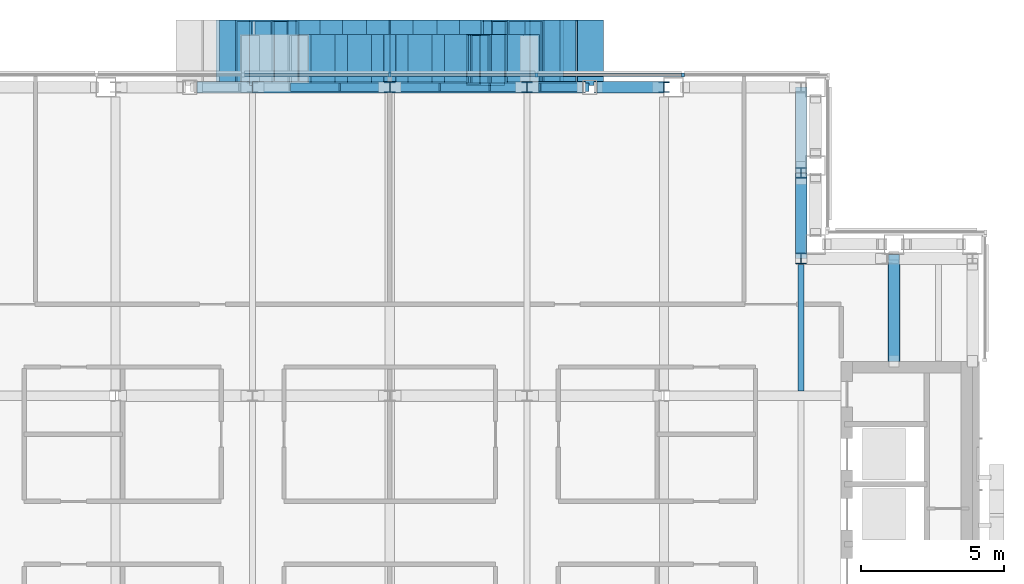
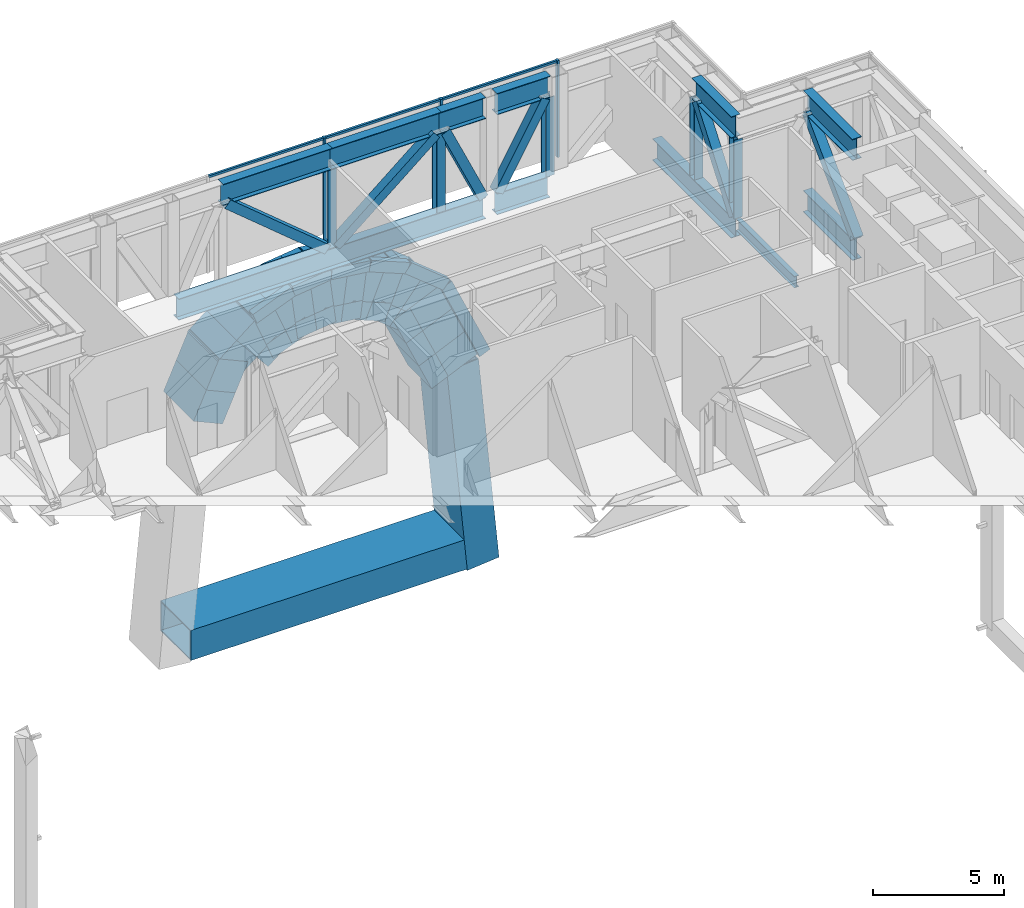
# One storey, part 8 of 26: 60 members, 7 beams, 1 element without a shape of its own.
"""IFC4 building model written with IfcOpenShell, lengths in metres."""

import ifcopenshell
import ifcopenshell.guid

model = None  # the IFC model being written
_history = None  # IfcOwnerHistory: only IFC2X3 demands one
_inside = {}  # id of a spatial element -> (the spatial element, [elements in it])
_under = {}  # id of a project, library or spatial element -> (it, [spatial elements below it])
_declared = {}  # id of a project -> (the project, [libraries it declares])
_typed = {}  # id of a type object -> (the type object, [elements of that type])
_made_of = {}  # id of a material, layer set ... -> (it, [elements and type objects made of it])


def new_model(schema):
    """Start an empty IFC model of exactly this schema.

    Asked for "IFC4X3", IfcOpenShell would pick the latest addendum, in which some entities
    have other attributes; the version numbers below select the first issue.
    IFC2X3 requires an IfcOwnerHistory on every rooted entity: one is made here for all.
    """
    global model, _history
    if schema == "IFC4X3":
        model = ifcopenshell.file(schema_version=(4, 3, 0, 0))
    else:
        model = ifcopenshell.file(schema=schema)
    _inside.clear()
    _under.clear()
    _declared.clear()
    _typed.clear()
    _made_of.clear()
    _history = None
    if model.schema == "IFC2X3":
        org = make("IfcOrganization", Name="unknown")
        user = make(
            "IfcPersonAndOrganization",
            ThePerson=make("IfcPerson", FamilyName="unknown"),
            TheOrganization=org,
        )
        app = make(
            "IfcApplication",
            ApplicationDeveloper=org,
            Version="unknown",
            ApplicationFullName="unknown",
            ApplicationIdentifier="unknown",
        )
        _history = make(
            "IfcOwnerHistory",
            OwningUser=user,
            OwningApplication=app,
            ChangeAction="ADDED",
            CreationDate=0,
        )
    return model


def make(cls, **values):
    """One entity of the class cls with the attributes given. An attribute that is None is left unset."""
    return model.create_entity(
        cls, **{name: value for name, value in values.items() if value is not None}
    )


def rooted(cls, **values):
    """An entity with a GlobalId (a new one), such as an element, a storey or a relation."""
    return make(cls, GlobalId=ifcopenshell.guid.new(), OwnerHistory=_history, **values)


def si_unit(unit_type, name, prefix=None):
    """IfcSIUnit, for example si_unit("LENGTHUNIT", "METRE", prefix="MILLI")."""
    return make("IfcSIUnit", UnitType=unit_type, Prefix=prefix, Name=name)


def assignment(units):
    """IfcUnitAssignment: the units of a project."""
    return None if units is None else make("IfcUnitAssignment", Units=units)


def point(xyz):
    """IfcCartesianPoint."""
    return None if xyz is None else make("IfcCartesianPoint", Coordinates=xyz)


def direction(xyz):
    """IfcDirection."""
    return None if xyz is None else make("IfcDirection", DirectionRatios=xyz)


def frame(location, z_axis=None, x_axis=None):
    """IfcAxis2Placement3D, a coordinate frame: its origin and axes. An axis left out is left unset."""
    return make(
        "IfcAxis2Placement3D",
        Location=point(location),
        Axis=direction(z_axis),
        RefDirection=direction(x_axis),
    )


def frame_2d(location, x_axis=None):
    """IfcAxis2Placement2D, a coordinate frame in the plane: its origin and x axis."""
    return make(
        "IfcAxis2Placement2D", Location=point(location), RefDirection=direction(x_axis)
    )


def origin():
    """The frame at (0, 0, 0) with its axes left unset."""
    return frame((0.0, 0.0, 0.0))


def origin_2d():
    """The frame at (0, 0) in the plane with its x axis left unset."""
    return frame_2d((0.0, 0.0))


def place(relative_to, where):
    """IfcLocalPlacement: puts the frame where relative to a parent placement (None: the world)."""
    return make(
        "IfcLocalPlacement", PlacementRelTo=relative_to, RelativePlacement=where
    )


def context(
    kind, dimensions, precision=None, world=None, true_north=None, identifier=None
):
    """IfcGeometricRepresentationContext, for example the 3D "Model" context."""
    return make(
        "IfcGeometricRepresentationContext",
        ContextIdentifier=identifier,
        ContextType=kind,
        CoordinateSpaceDimension=dimensions,
        Precision=precision,
        WorldCoordinateSystem=world,
        TrueNorth=true_north,
    )


def subcontext(parent, identifier, kind, view, scale=None):
    """IfcGeometricRepresentationSubContext, for example "Body" below "Model"."""
    return make(
        "IfcGeometricRepresentationSubContext",
        ContextIdentifier=identifier,
        ContextType=kind,
        ParentContext=parent,
        TargetScale=scale,
        TargetView=view,
    )


def project(units=None, contexts=None):
    """IfcProject with its units and contexts."""
    return rooted(
        "IfcProject",
        Name="project",
        RepresentationContexts=contexts,
        UnitsInContext=assignment(units),
    )


def spatial(cls, under=None, at=None, **own):
    """A site, building, storey or space (cls), placed at a placement, below another one or the project."""
    s = rooted(cls, ObjectPlacement=at, **own)
    if under is not None:
        _under.setdefault(under.id(), (under, []))[1].append(s)
    return s


def profile(cls, at=None, kind="AREA", **sizes):
    """A parametric profile (cls). Its sizes go by their IFC names, for example OverallWidth=200.0."""
    return make(cls, ProfileType=kind, Position=at, **sizes)


def rectangle(**sizes):
    """IfcRectangleProfileDef."""
    return profile("IfcRectangleProfileDef", **sizes)


def hollow_rectangle(**sizes):
    """IfcRectangleHollowProfileDef."""
    return profile("IfcRectangleHollowProfileDef", **sizes)


def i_section(**sizes):
    """IfcIShapeProfileDef."""
    return profile("IfcIShapeProfileDef", **sizes)


def extrude(swept, where, along, depth):
    """IfcExtrudedAreaSolid: the profile swept, set in the frame where, extruded along a direction by depth."""
    return make(
        "IfcExtrudedAreaSolid",
        SweptArea=swept,
        Position=where,
        ExtrudedDirection=direction(along),
        Depth=depth,
    )


def shape(context_of_items, identifier, shape_type, items):
    """IfcShapeRepresentation: the items that make up one representation, for example the "Body"."""
    return make(
        "IfcShapeRepresentation",
        ContextOfItems=context_of_items,
        RepresentationIdentifier=identifier,
        RepresentationType=shape_type,
        Items=items,
    )


def material(Name=None, Category=None):
    """IfcMaterial."""
    return make("IfcMaterial", Name=Name, Category=Category)


def material_profile(
    of_material, cross_section, Name=None, Category=None, Priority=None
):
    """IfcMaterialProfile: a cross section and its material."""
    return make(
        "IfcMaterialProfile",
        Name=Name,
        Material=of_material,
        Profile=cross_section,
        Priority=Priority,
        Category=Category,
    )


def profile_set(profiles, Name=None, composite=None):
    """IfcMaterialProfileSet."""
    return make(
        "IfcMaterialProfileSet",
        Name=Name,
        MaterialProfiles=profiles,
        CompositeProfile=composite,
    )


def made_of(thing, what):
    """Note that an element or type object is made of a material, layer set ...; save() writes the relation."""
    if what is not None:
        _made_of.setdefault(what.id(), (what, []))[1].append(thing)
    return thing


def type_object(cls, material=None, **own):
    """A type object (cls), such as IfcWallType, which elements share."""
    return made_of(rooted(cls, **own), material)


def element(
    cls,
    number,
    at=None,
    inside=None,
    cuts=None,
    type_object=None,
    material=None,
    context=None,
    identifier="Body",
    shape_type=None,
    held_by="IfcProductDefinitionShape",
    body=None,
    shapes=None,
    **own,
):
    """One element of the class cls, such as IfcWall. Its Tag is "e" and its number.

    at: its placement. inside: the storey or other place that contains it. cuts: it is an
    opening in that element (IfcRelVoidsElement). A single representation is given by context,
    identifier, shape_type and body (its items); several are given by shapes. held_by: the class
    of the entity that holds the representations. save() writes the other relations.
    """
    e = rooted(cls, Tag="e%d" % number, ObjectPlacement=at, **own)
    if body is not None:
        shapes = [shape(context, identifier, shape_type, body)]
    if shapes is not None:
        e.Representation = make(held_by, Representations=shapes)
    if inside is not None:
        _inside.setdefault(inside.id(), (inside, []))[1].append(e)
    if cuts is not None:
        rooted(
            "IfcRelVoidsElement", RelatingBuildingElement=cuts, RelatedOpeningElement=e
        )
    if type_object is not None:
        _typed.setdefault(type_object.id(), (type_object, []))[1].append(e)
    return made_of(e, material)


def aggregate(whole, parts):
    """IfcRelAggregates: a whole, such as a stair, and the parts it consists of."""
    return rooted("IfcRelAggregates", RelatingObject=whole, RelatedObjects=parts)


def save(model, path):
    """Write the relations noted so far, then the file.

    IfcRelAggregates (storeys below a building ...), IfcRelContainedInSpatialStructure (elements
    in a storey), IfcRelDefinesByType, IfcRelAssociatesMaterial and IfcRelDeclares: one each for
    every whole, place, type object, material and project.
    """
    for whole, parts in _under.values():
        aggregate(whole, parts)
    for where, things in _inside.values():
        rooted(
            "IfcRelContainedInSpatialStructure",
            RelatedElements=things,
            RelatingStructure=where,
        )
    for kind, things in _typed.values():
        rooted("IfcRelDefinesByType", RelatedObjects=things, RelatingType=kind)
    for what, things in _made_of.values():
        rooted("IfcRelAssociatesMaterial", RelatedObjects=things, RelatingMaterial=what)
    for by, libraries in _declared.values():
        rooted("IfcRelDeclares", RelatingContext=by, RelatedDefinitions=libraries)
    model.write(path)


model = new_model("IFC4")

# Units and contexts
model_context = context("Model", 3, precision=1e-05, world=origin(), true_north=direction((0.0, 1.0)))
body_context = subcontext(model_context, "Body", "Model", "MODEL_VIEW")
ifc_project = project(units=[si_unit("LENGTHUNIT", "METRE"), si_unit("AREAUNIT", "SQUARE_METRE"), si_unit("VOLUMEUNIT", "CUBIC_METRE"), si_unit("PLANEANGLEUNIT", "RADIAN"), si_unit("MASSUNIT", "GRAM", prefix="KILO")], contexts=[model_context])

# Site, building, storey
site_placement = place(None, origin())
site = spatial("IfcSite", under=ifc_project, at=site_placement, CompositionType="ELEMENT")
building_placement = place(site_placement, origin())
building = spatial("IfcBuilding", under=site, at=building_placement, Name="Cobrizo Arcos Hotel Tower", CompositionType="ELEMENT")
storey_placement = place(building_placement, frame((0.0, 0.0, 236.5)))
storey = spatial("IfcBuildingStorey", under=building, at=storey_placement, Name="L62", CompositionType="ELEMENT", Elevation=236.5)

# Beams
ifc_material_1 = material(Name="Steel ASTM A572 Grade 50", Category="steel")
ifc_material_profile_1 = material_profile(ifc_material_1, hollow_rectangle(XDim=0.300048828125, YDim=0.5, WallThickness=0.02001953125, at=origin_2d()), Name="BOX 300X500X20")
ifc_profile_set_1 = profile_set([ifc_material_profile_1], Name="Steel ASTM A572 Grade 50")
beam_type_1 = type_object("IfcBeamType", Name="BOX 300X500X20 arch rib", PredefinedType="BEAM", material=ifc_profile_set_1)
beam_1_placement = place(storey_placement, frame((-3.374267578125, 20.39990234375, -2.4375), z_axis=(0.926634507645, 0.0, 0.375963414764), x_axis=(0.0, 1.0, 0.0)))
element("IfcBeam", 1, at=beam_1_placement, inside=storey, type_object=beam_type_1, Name="Arch rib AR1, arch C, north face, no. 03", PredefinedType="BEAM", context=body_context, shape_type="SweptSolid", body=[
    extrude(hollow_rectangle(XDim=0.300048828125, YDim=0.5, WallThickness=0.02001953125, at=origin_2d()), origin(), (0.0, 0.0, 1.0), 1.82080078125),
])
for number, where, z_axis, x_axis, name in (
    (2, (-1.68701171875, 20.39990234375, -1.7529296875), (0.992131403305, 0.0, 0.125200952776), (0.0, 1.0, 0.0), "Arch rib AR1, arch C, north face, no. 04"),
    (3, (0.0, 20.39990234375, -1.5400390625), (0.992131403305, 0.0, -0.125200952776), (0.0, 1.0, 0.0), "Arch rib AR1, arch C, north face, no. 05"),
):
    element("IfcBeam", number, at=place(storey_placement, frame(where, z_axis=z_axis, x_axis=x_axis)), inside=storey, type_object=beam_type_1, Name=name, PredefinedType="BEAM", context=body_context, shape_type="SweptSolid", body=[
        extrude(hollow_rectangle(XDim=0.300048828125, YDim=0.5, WallThickness=0.02001953125, at=origin_2d()), origin(), (0.0, 0.0, 1.0), 1.700439453125),
    ])
beam_2_placement = place(storey_placement, frame((1.68701171875, 20.39990234375, -1.7529296875), z_axis=(0.926634507645, 0.0, -0.375963414764), x_axis=(0.0, 1.0, 0.0)))
element("IfcBeam", 4, at=beam_2_placement, inside=storey, type_object=beam_type_1, Name="Arch rib AR1, arch C, north face, no. 06", PredefinedType="BEAM", context=body_context, shape_type="SweptSolid", body=[
    extrude(hollow_rectangle(XDim=0.300048828125, YDim=0.5, WallThickness=0.02001953125, at=origin_2d()), origin(), (0.0, 0.0, 1.0), 1.82080078125),
])
beam_3_placement = place(storey_placement, frame((3.374267578125, 20.39990234375, -2.4375), z_axis=(0.777399424026, 0.0, -0.6290072619), x_axis=(0.0, 1.0, 0.0)))
element("IfcBeam", 5, at=beam_3_placement, inside=storey, type_object=beam_type_1, Name="Arch rib AR1, arch C, north face, no. 07", PredefinedType="BEAM", context=body_context, shape_type="SweptSolid", body=[
    extrude(hollow_rectangle(XDim=0.300048828125, YDim=0.5, WallThickness=0.02001953125, at=origin_2d()), origin(), (0.0, 0.0, 1.0), 2.170166015625),
])
beam_4_placement = place(storey_placement, frame((5.061279296875, 20.39990234375, -3.802490234375), z_axis=(0.409445476845, 0.0, -0.912334588565), x_axis=(0.0, 1.0, 0.0)))
element("IfcBeam", 6, at=beam_4_placement, inside=storey, type_object=beam_type_1, Name="Arch rib AR1, arch C, north face, no. 08", PredefinedType="BEAM", context=body_context, shape_type="SweptSolid", body=[
    extrude(hollow_rectangle(XDim=0.300048828125, YDim=0.5, WallThickness=0.02001953125, at=origin_2d()), origin(), (0.0, 0.0, 1.0), 4.1201171875),
])

# Curtain wall, members
ifc_material_2 = material(Name="Aluminium 6063-T6 anodised bronze", Category="aluminium")
curtain_wall_type = type_object("IfcCurtainWallType", Name="CW-D plant louvre wall", PredefinedType="NOTDEFINED", material=ifc_material_2)
curtain_wall_placement = place(storey_placement, origin())
curtain_wall = element("IfcCurtainWall", 7, at=curtain_wall_placement, inside=storey, type_object=curtain_wall_type, Name="CW-D L62 N face", PredefinedType="NOTDEFINED")
ifc_material_profile_2 = material_profile(ifc_material_2, rectangle(XDim=0.14990234375, YDim=0.10009765625, at=origin_2d()), Name="CW-D mullion 150x100")
ifc_profile_set_2 = profile_set([ifc_material_profile_2], Name="Aluminium 6063-T6 anodised bronze")
member_type_1 = type_object("IfcMemberType", Name="CW-D mullion 150x100", PredefinedType="MULLION", material=ifc_profile_set_2)
member_1_placement = place(storey_placement, frame((10.2666015625, 20.824951171875, 0.0), z_axis=(0.0, 0.0, 1.0), x_axis=(0.0, 1.0, 0.0)))
member_1 = element("IfcMember", 8, at=member_1_placement, type_object=member_type_1, Name="CW-D mullion 2", PredefinedType="MULLION", context=body_context, shape_type="SweptSolid", body=[
    extrude(rectangle(XDim=0.14990234375, YDim=0.10009765625, at=origin_2d()), origin(), (0.0, 0.0, 1.0), 4.5),
])
member_2_placement = place(storey_placement, frame((5.13330078125, 20.824951171875, 0.0), z_axis=(0.0, 0.0, 1.0), x_axis=(0.0, 1.0, 0.0)))
member_2 = element("IfcMember", 9, at=member_2_placement, type_object=member_type_1, Name="CW-D mullion 3", PredefinedType="MULLION", context=body_context, shape_type="SweptSolid", body=[
    extrude(rectangle(XDim=0.14990234375, YDim=0.10009765625, at=origin_2d()), origin(), (0.0, 0.0, 1.0), 4.5),
])
member_3_placement = place(storey_placement, frame((0.0, 20.824951171875, 0.0), z_axis=(0.0, 0.0, 1.0), x_axis=(0.0, 1.0, 0.0)))
member_3 = element("IfcMember", 10, at=member_3_placement, type_object=member_type_1, Name="CW-D mullion 4", PredefinedType="MULLION", context=body_context, shape_type="SweptSolid", body=[
    extrude(rectangle(XDim=0.14990234375, YDim=0.10009765625, at=origin_2d()), origin(), (0.0, 0.0, 1.0), 4.5),
])
ifc_material_profile_3 = material_profile(ifc_material_2, rectangle(XDim=0.10009765625, YDim=0.10009765625, at=origin_2d()), Name="CW-D transom 100x100")
ifc_profile_set_3 = profile_set([ifc_material_profile_3], Name="Aluminium 6063-T6 anodised bronze")
member_type_2 = type_object("IfcMemberType", Name="CW-D transom 100x100", PredefinedType="USERDEFINED", material=ifc_profile_set_3)
member_4_placement = place(storey_placement, frame((10.216552734375, 20.824951171875, 4.449951171875), z_axis=(-1.0, 0.0, 0.0), x_axis=(0.0, -1.0, 0.0)))
member_4 = element("IfcMember", 11, at=member_4_placement, type_object=member_type_2, Name="CW-D transom 2001", ObjectType="TRANSOM", PredefinedType="USERDEFINED", context=body_context, shape_type="SweptSolid", body=[
    extrude(rectangle(XDim=0.10009765625, YDim=0.10009765625, at=origin_2d()), origin(), (0.0, 0.0, 1.0), 5.033203125),
])
member_5_placement = place(storey_placement, frame((5.083251953125, 20.824951171875, 4.449951171875), z_axis=(-1.0, 0.0, 0.0), x_axis=(0.0, -1.0, 0.0)))
member_5 = element("IfcMember", 12, at=member_5_placement, type_object=member_type_2, Name="CW-D transom 2002", ObjectType="TRANSOM", PredefinedType="USERDEFINED", context=body_context, shape_type="SweptSolid", body=[
    extrude(rectangle(XDim=0.10009765625, YDim=0.10009765625, at=origin_2d()), origin(), (0.0, 0.0, 1.0), 5.033203125),
])
member_6_placement = place(storey_placement, frame((-0.050048828125, 20.824951171875, 4.449951171875), z_axis=(-1.0, 0.0, 0.0), x_axis=(0.0, -1.0, 0.0)))
member_6 = element("IfcMember", 13, at=member_6_placement, type_object=member_type_2, Name="CW-D transom 2003", ObjectType="TRANSOM", PredefinedType="USERDEFINED", context=body_context, shape_type="SweptSolid", body=[
    extrude(rectangle(XDim=0.10009765625, YDim=0.10009765625, at=origin_2d()), origin(), (0.0, 0.0, 1.0), 5.033203125),
])
aggregate(curtain_wall, [member_1, member_2, member_3, member_4, member_5, member_6])

# Members
ifc_material_3 = material(Name="Steel ASTM A500 Grade C", Category="steel")
ifc_material_profile_4 = material_profile(ifc_material_3, hollow_rectangle(XDim=0.406494140625, YDim=0.406494140625, WallThickness=0.014892578125, at=origin_2d()), Name="HSS16X16X5/8")
ifc_profile_set_4 = profile_set([ifc_material_profile_4], Name="Steel ASTM A500 Grade C")
member_type_3 = type_object("IfcMemberType", Name="HSS16X16X5/8 truss diagonal", PredefinedType="BRACE", material=ifc_profile_set_4)
member_7_placement = place(storey_placement, frame((9.39990234375, 20.39990234375, 3.359375), z_axis=(-0.492319382331, 0.0, -0.870414628658), x_axis=(0.0, -1.0, 0.0)))
element("IfcMember", 14, at=member_7_placement, inside=storey, type_object=member_type_3, Name="Belt truss diagonal TD1, L62, no. 020", PredefinedType="BRACE", context=body_context, shape_type="SweptSolid", body=[
    extrude(hollow_rectangle(XDim=0.406494140625, YDim=0.406494140625, WallThickness=0.014892578125, at=origin_2d()), origin(), (0.0, 0.0, 1.0), 4.204345703125),
])
member_8_placement = place(storey_placement, frame((6.669921875, 20.39990234375, -0.300048828125), z_axis=(-0.415151491218, 0.0, 0.909752295595), x_axis=(0.0, -1.0, 0.0)))
element("IfcMember", 15, at=member_8_placement, inside=storey, type_object=member_type_3, Name="Belt truss diagonal TD1, L62, no. 021", PredefinedType="BRACE", context=body_context, shape_type="SweptSolid", body=[
    extrude(hollow_rectangle(XDim=0.406494140625, YDim=0.406494140625, WallThickness=0.014892578125, at=origin_2d()), origin(), (0.0, 0.0, 1.0), 4.0224609375),
])
for number, where, z_axis, x_axis, name in (
    (16, (4.60009765625, 20.39990234375, 3.359375), (-0.768853804664, 0.0, -0.639424606231), (0.0, -1.0, 0.0), "Belt truss diagonal TD1, L62, no. 022"),
    (17, (-0.199951171875, 20.39990234375, -0.300048828125), (-0.768853804664, 0.0, 0.639424606231), (0.0, -1.0, 0.0), "Belt truss diagonal TD1, L62, no. 023"),
):
    element("IfcMember", number, at=place(storey_placement, frame(where, z_axis=z_axis, x_axis=x_axis)), inside=storey, type_object=member_type_3, Name=name, PredefinedType="BRACE", context=body_context, shape_type="SweptSolid", body=[
        extrude(hollow_rectangle(XDim=0.406494140625, YDim=0.406494140625, WallThickness=0.014892578125, at=origin_2d()), origin(), (0.0, 0.0, 1.0), 5.722900390625),
    ])
member_9_placement = place(storey_placement, frame((14.39990234375, 14.39990234375, -0.300048828125), z_axis=(0.0, 0.607678216274, 0.794183344994), x_axis=(-1.0, 0.0, 0.0)))
element("IfcMember", 18, at=member_9_placement, inside=storey, type_object=member_type_3, Name="Belt truss diagonal TD1, L62, no. 043", PredefinedType="BRACE", context=body_context, shape_type="SweptSolid", body=[
    extrude(hollow_rectangle(XDim=0.406494140625, YDim=0.406494140625, WallThickness=0.014892578125, at=origin_2d()), origin(), (0.0, 0.0, 1.0), 4.607666015625),
])
member_10_placement = place(storey_placement, frame((17.64990234375, 10.800048828125, -0.300048828125), z_axis=(0.0, 0.708118865561, 0.706093246134), x_axis=(-1.0, 0.0, 0.0)))
element("IfcMember", 19, at=member_10_placement, inside=storey, type_object=member_type_3, Name="Outrigger diagonal TD1, L62, no. 002", PredefinedType="BRACE", context=body_context, shape_type="SweptSolid", body=[
    extrude(hollow_rectangle(XDim=0.406494140625, YDim=0.406494140625, WallThickness=0.014892578125, at=origin_2d()), origin(), (0.0, 0.0, 1.0), 5.1826171875),
])
ifc_material_4 = material(Name="Steel ASTM A572 Grade 50 verdigris painted", Category="steel")
ifc_material_profile_5 = material_profile(ifc_material_4, hollow_rectangle(XDim=2.300048828125, YDim=1.39990234375, WallThickness=0.050048828125, at=origin_2d()), Name="PF-1 portal frame box 2300x1400x50")
ifc_profile_set_5 = profile_set([ifc_material_profile_5], Name="Steel ASTM A572 Grade 50 verdigris painted")
member_type_4 = type_object("IfcMemberType", Name="PF-1 portal frame box 2300x1400x50", PredefinedType="USERDEFINED", material=ifc_profile_set_5)
for number, where, z_axis, x_axis, name in (
    (20, (-5.3193359375, 21.60009765625, -6.697509765625), (0.409418288591, 0.0, 0.91234678986), (0.0, 1.0, 0.0), "C ring frame lintel N2"),
    (21, (-4.757080078125, 21.60009765625, -5.444580078125), (0.409566249087, 0.0, 0.91228037774), (0.0, 1.0, 0.0), "C ring frame lintel N3"),
):
    element("IfcMember", number, at=place(storey_placement, frame(where, z_axis=z_axis, x_axis=x_axis)), inside=storey, type_object=member_type_4, Name=name, ObjectType="PORTAL FRAME", PredefinedType="USERDEFINED", context=body_context, shape_type="SweptSolid", body=[
        extrude(hollow_rectangle(XDim=2.300048828125, YDim=1.39990234375, WallThickness=0.050048828125, at=origin_2d()), origin(), (0.0, 0.0, 1.0), 1.373291015625),
    ])
for number, where, z_axis, x_axis, name in (
    (22, (-4.463623046875, 21.60009765625, -4.541015625), (0.777344411856, 0.0, 0.62907524618), (0.0, 1.0, 0.0), "C ring frame lintel N4"),
    (23, (-3.6201171875, 21.60009765625, -3.8583984375), (0.777344411856, 0.0, 0.62907524618), (0.0, 1.0, 0.0), "C ring frame lintel N5"),
):
    element("IfcMember", number, at=place(storey_placement, frame(where, z_axis=z_axis, x_axis=x_axis)), inside=storey, type_object=member_type_4, Name=name, ObjectType="PORTAL FRAME", PredefinedType="USERDEFINED", context=body_context, shape_type="SweptSolid", body=[
        extrude(hollow_rectangle(XDim=2.300048828125, YDim=1.39990234375, WallThickness=0.050048828125, at=origin_2d()), origin(), (0.0, 0.0, 1.0), 1.085205078125),
    ])
member_11_placement = place(storey_placement, frame((-3.01708984375, 21.60009765625, -3.317626953125), z_axis=(0.92670897659, 0.0, 0.375779819451), x_axis=(0.0, 1.0, 0.0)))
element("IfcMember", 24, at=member_11_placement, inside=storey, type_object=member_type_4, Name="C ring frame lintel N6", ObjectType="PORTAL FRAME", PredefinedType="USERDEFINED", context=body_context, shape_type="SweptSolid", body=[
    extrude(hollow_rectangle(XDim=2.300048828125, YDim=1.39990234375, WallThickness=0.050048828125, at=origin_2d()), origin(), (0.0, 0.0, 1.0), 0.91015625),
])
member_12_placement = place(storey_placement, frame((-2.173583984375, 21.60009765625, -2.9755859375), z_axis=(0.926653456275, 0.0, 0.375916708825), x_axis=(0.0, 1.0, 0.0)))
element("IfcMember", 25, at=member_12_placement, inside=storey, type_object=member_type_4, Name="C ring frame lintel N7", ObjectType="PORTAL FRAME", PredefinedType="USERDEFINED", context=body_context, shape_type="SweptSolid", body=[
    extrude(hollow_rectangle(XDim=2.300048828125, YDim=1.39990234375, WallThickness=0.050048828125, at=origin_2d()), origin(), (0.0, 0.0, 1.0), 0.91064453125),
])
member_13_placement = place(storey_placement, frame((-1.568115234375, 21.60009765625, -2.6953125), z_axis=(0.992167033897, 0.0, 0.124918280679), x_axis=(0.0, 1.0, 0.0)))
element("IfcMember", 26, at=member_13_placement, inside=storey, type_object=member_type_4, Name="C ring frame lintel N8", ObjectType="PORTAL FRAME", PredefinedType="USERDEFINED", context=body_context, shape_type="SweptSolid", body=[
    extrude(hollow_rectangle(XDim=2.300048828125, YDim=1.39990234375, WallThickness=0.050048828125, at=origin_2d()), origin(), (0.0, 0.0, 1.0), 0.85009765625),
])
for number, where, z_axis, x_axis, name in (
    (27, (-0.724609375, 21.60009765625, -2.589111328125), (0.992095694749, 0.0, 0.125483594387), (0.0, 1.0, 0.0), "C ring frame lintel N9"),
    (28, (-0.118896484375, 21.60009765625, -2.482421875), (0.992095694749, 0.0, -0.125483594387), (0.0, 1.0, 0.0), "C ring frame lintel N10"),
):
    element("IfcMember", number, at=place(storey_placement, frame(where, z_axis=z_axis, x_axis=x_axis)), inside=storey, type_object=member_type_4, Name=name, ObjectType="PORTAL FRAME", PredefinedType="USERDEFINED", context=body_context, shape_type="SweptSolid", body=[
        extrude(hollow_rectangle(XDim=2.300048828125, YDim=1.39990234375, WallThickness=0.050048828125, at=origin_2d()), origin(), (0.0, 0.0, 1.0), 0.850341796875),
    ])
member_14_placement = place(storey_placement, frame((0.724609375, 21.60009765625, -2.589111328125), z_axis=(0.992167033897, 0.0, -0.124918280679), x_axis=(0.0, 1.0, 0.0)))
element("IfcMember", 29, at=member_14_placement, inside=storey, type_object=member_type_4, Name="C ring frame lintel N11", ObjectType="PORTAL FRAME", PredefinedType="USERDEFINED", context=body_context, shape_type="SweptSolid", body=[
    extrude(hollow_rectangle(XDim=2.300048828125, YDim=1.39990234375, WallThickness=0.050048828125, at=origin_2d()), origin(), (0.0, 0.0, 1.0), 0.85009765625),
])
member_15_placement = place(storey_placement, frame((1.329833984375, 21.60009765625, -2.63330078125), z_axis=(0.926653456275, 0.0, -0.375916708825), x_axis=(0.0, 1.0, 0.0)))
element("IfcMember", 30, at=member_15_placement, inside=storey, type_object=member_type_4, Name="C ring frame lintel N12", ObjectType="PORTAL FRAME", PredefinedType="USERDEFINED", context=body_context, shape_type="SweptSolid", body=[
    extrude(hollow_rectangle(XDim=2.300048828125, YDim=1.39990234375, WallThickness=0.050048828125, at=origin_2d()), origin(), (0.0, 0.0, 1.0), 0.91064453125),
])
member_16_placement = place(storey_placement, frame((2.173583984375, 21.60009765625, -2.9755859375), z_axis=(0.92670897659, 0.0, -0.375779819451), x_axis=(0.0, 1.0, 0.0)))
element("IfcMember", 31, at=member_16_placement, inside=storey, type_object=member_type_4, Name="C ring frame lintel N13", ObjectType="PORTAL FRAME", PredefinedType="USERDEFINED", context=body_context, shape_type="SweptSolid", body=[
    extrude(hollow_rectangle(XDim=2.300048828125, YDim=1.39990234375, WallThickness=0.050048828125, at=origin_2d()), origin(), (0.0, 0.0, 1.0), 0.91015625),
])
for number, where, z_axis, x_axis, name in (
    (32, (2.776611328125, 21.60009765625, -3.17578125), (0.777344411856, 0.0, -0.62907524618), (0.0, 1.0, 0.0), "C ring frame lintel N14"),
    (33, (3.6201171875, 21.60009765625, -3.8583984375), (0.777344411856, 0.0, -0.62907524618), (0.0, 1.0, 0.0), "C ring frame lintel N15"),
):
    element("IfcMember", number, at=place(storey_placement, frame(where, z_axis=z_axis, x_axis=x_axis)), inside=storey, type_object=member_type_4, Name=name, ObjectType="PORTAL FRAME", PredefinedType="USERDEFINED", context=body_context, shape_type="SweptSolid", body=[
        extrude(hollow_rectangle(XDim=2.300048828125, YDim=1.39990234375, WallThickness=0.050048828125, at=origin_2d()), origin(), (0.0, 0.0, 1.0), 1.085205078125),
    ])
for number, where, z_axis, x_axis, name in (
    (34, (4.194580078125, 21.60009765625, -4.191650390625), (0.409566249087, 0.0, -0.91228037774), (0.0, 1.0, 0.0), "C ring frame lintel N16"),
    (35, (4.757080078125, 21.60009765625, -5.444580078125), (0.409418288591, 0.0, -0.91234678986), (0.0, 1.0, 0.0), "C ring frame lintel N17"),
):
    element("IfcMember", number, at=place(storey_placement, frame(where, z_axis=z_axis, x_axis=x_axis)), inside=storey, type_object=member_type_4, Name=name, ObjectType="PORTAL FRAME", PredefinedType="USERDEFINED", context=body_context, shape_type="SweptSolid", body=[
        extrude(hollow_rectangle(XDim=2.300048828125, YDim=1.39990234375, WallThickness=0.050048828125, at=origin_2d()), origin(), (0.0, 0.0, 1.0), 1.373291015625),
    ])
member_17_placement = place(storey_placement, frame((5.3193359375, 21.60009765625, -6.697509765625), z_axis=(0.40935189332, 0.0, -0.912376582029), x_axis=(0.0, 1.0, 0.0)))
element("IfcMember", 36, at=member_17_placement, inside=storey, type_object=member_type_4, Name="C ring frame lintel N18", ObjectType="PORTAL FRAME", PredefinedType="USERDEFINED", context=body_context, shape_type="SweptSolid", body=[
    extrude(hollow_rectangle(XDim=2.300048828125, YDim=1.39990234375, WallThickness=0.050048828125, at=origin_2d()), origin(), (0.0, 0.0, 1.0), 1.37353515625),
])
member_18_placement = place(storey_placement, frame((6.78173828125, 21.60009765625, -17.5), z_axis=(-0.093846907553, 0.0, 0.995586640099), x_axis=(0.0, -1.0, 0.0)))
element("IfcMember", 37, at=member_18_placement, inside=storey, type_object=member_type_4, Name="C ring frame post NE", ObjectType="PORTAL FRAME", PredefinedType="USERDEFINED", context=body_context, shape_type="SweptSolid", body=[
    extrude(hollow_rectangle(XDim=2.300048828125, YDim=1.39990234375, WallThickness=0.050048828125, at=origin_2d()), origin(), (0.0, 0.0, 1.0), 9.591552734375),
])
member_19_placement = place(storey_placement, frame((-6.081787109375, 21.60009765625, -16.800048828125), z_axis=(1.0, 0.0, 0.0), x_axis=(0.0, 1.0, 0.0)))
element("IfcMember", 38, at=member_19_placement, inside=storey, type_object=member_type_4, Name="C ring frame sill beam N", ObjectType="PORTAL FRAME", PredefinedType="USERDEFINED", context=body_context, shape_type="SweptSolid", body=[
    extrude(hollow_rectangle(XDim=2.300048828125, YDim=1.39990234375, WallThickness=0.050048828125, at=origin_2d()), origin(), (0.0, 0.0, 1.0), 12.16357421875),
])
ifc_material_profile_6 = material_profile(ifc_material_4, hollow_rectangle(XDim=1.800048828125, YDim=0.800048828125, WallThickness=0.050048828125, at=origin_2d()), Name="PF-3 portal outer ring box 1800x800x50")
ifc_profile_set_6 = profile_set([ifc_material_profile_6], Name="Steel ASTM A572 Grade 50 verdigris painted")
member_type_5 = type_object("IfcMemberType", Name="PF-3 portal outer ring box 1800x800x50", PredefinedType="USERDEFINED", material=ifc_profile_set_6)
member_20_placement = place(storey_placement, frame((-2.92822265625, 21.35009765625, -4.713623046875), z_axis=(0.777344411856, 0.0, 0.62907524618), x_axis=(0.0, 1.0, 0.0)))
element("IfcMember", 39, at=member_20_placement, inside=storey, type_object=member_type_5, Name="C ring frame lintel N25", ObjectType="PORTAL FRAME", PredefinedType="USERDEFINED", context=body_context, shape_type="SweptSolid", body=[
    extrude(hollow_rectangle(XDim=1.800048828125, YDim=0.800048828125, WallThickness=0.050048828125, at=origin_2d()), origin(), (0.0, 0.0, 1.0), 1.085205078125),
])
member_21_placement = place(storey_placement, frame((-2.603515625, 21.35009765625, -4.3369140625), z_axis=(0.92670897659, 0.0, 0.375779819451), x_axis=(0.0, 1.0, 0.0)))
element("IfcMember", 40, at=member_21_placement, inside=storey, type_object=member_type_5, Name="C ring frame lintel N26", ObjectType="PORTAL FRAME", PredefinedType="USERDEFINED", context=body_context, shape_type="SweptSolid", body=[
    extrude(hollow_rectangle(XDim=1.800048828125, YDim=0.800048828125, WallThickness=0.050048828125, at=origin_2d()), origin(), (0.0, 0.0, 1.0), 0.91015625),
])
member_22_placement = place(storey_placement, frame((-1.760009765625, 21.35009765625, -3.994873046875), z_axis=(0.926615551951, 0.0, 0.376010131356), x_axis=(0.0, 1.0, 0.0)))
element("IfcMember", 41, at=member_22_placement, inside=storey, type_object=member_type_5, Name="C ring frame lintel N27", ObjectType="PORTAL FRAME", PredefinedType="USERDEFINED", context=body_context, shape_type="SweptSolid", body=[
    extrude(hollow_rectangle(XDim=1.800048828125, YDim=0.800048828125, WallThickness=0.050048828125, at=origin_2d()), origin(), (0.0, 0.0, 1.0), 0.910400390625),
])
for number, where, z_axis, x_axis, name in (
    (42, (-1.430419921875, 21.35009765625, -3.786865234375), (0.992131403305, 0.0, 0.125200952776), (0.0, 1.0, 0.0), "C ring frame lintel N28"),
    (43, (-0.5869140625, 21.35009765625, -3.680419921875), (0.992131403305, 0.0, 0.125200952776), (0.0, 1.0, 0.0), "C ring frame lintel N29"),
    (44, (-0.256591796875, 21.35009765625, -3.573974609375), (0.992131403305, 0.0, -0.125200952776), (0.0, 1.0, 0.0), "C ring frame lintel N210"),
    (45, (0.5869140625, 21.35009765625, -3.680419921875), (0.992131403305, 0.0, -0.125200952776), (0.0, 1.0, 0.0), "C ring frame lintel N211"),
):
    element("IfcMember", number, at=place(storey_placement, frame(where, z_axis=z_axis, x_axis=x_axis)), inside=storey, type_object=member_type_5, Name=name, ObjectType="PORTAL FRAME", PredefinedType="USERDEFINED", context=body_context, shape_type="SweptSolid", body=[
        extrude(hollow_rectangle(XDim=1.800048828125, YDim=0.800048828125, WallThickness=0.050048828125, at=origin_2d()), origin(), (0.0, 0.0, 1.0), 0.85009765625),
    ])
member_23_placement = place(storey_placement, frame((0.91650390625, 21.35009765625, -3.652587890625), z_axis=(0.926615551951, 0.0, -0.376010131356), x_axis=(0.0, 1.0, 0.0)))
element("IfcMember", 46, at=member_23_placement, inside=storey, type_object=member_type_5, Name="C ring frame lintel N212", ObjectType="PORTAL FRAME", PredefinedType="USERDEFINED", context=body_context, shape_type="SweptSolid", body=[
    extrude(hollow_rectangle(XDim=1.800048828125, YDim=0.800048828125, WallThickness=0.050048828125, at=origin_2d()), origin(), (0.0, 0.0, 1.0), 0.910400390625),
])
member_24_placement = place(storey_placement, frame((1.760009765625, 21.35009765625, -3.994873046875), z_axis=(0.92670897659, 0.0, -0.375779819451), x_axis=(0.0, 1.0, 0.0)))
element("IfcMember", 47, at=member_24_placement, inside=storey, type_object=member_type_5, Name="C ring frame lintel N213", ObjectType="PORTAL FRAME", PredefinedType="USERDEFINED", context=body_context, shape_type="SweptSolid", body=[
    extrude(hollow_rectangle(XDim=1.800048828125, YDim=0.800048828125, WallThickness=0.050048828125, at=origin_2d()), origin(), (0.0, 0.0, 1.0), 0.91015625),
])
for number, where, z_axis, x_axis, name in (
    (48, (2.084716796875, 21.35009765625, -4.031005859375), (0.777344411856, 0.0, -0.62907524618), (0.0, 1.0, 0.0), "C ring frame lintel N214"),
    (49, (2.92822265625, 21.35009765625, -4.713623046875), (0.777344411856, 0.0, -0.62907524618), (0.0, 1.0, 0.0), "C ring frame lintel N215"),
):
    element("IfcMember", number, at=place(storey_placement, frame(where, z_axis=z_axis, x_axis=x_axis)), inside=storey, type_object=member_type_5, Name=name, ObjectType="PORTAL FRAME", PredefinedType="USERDEFINED", context=body_context, shape_type="SweptSolid", body=[
        extrude(hollow_rectangle(XDim=1.800048828125, YDim=0.800048828125, WallThickness=0.050048828125, at=origin_2d()), origin(), (0.0, 0.0, 1.0), 1.085205078125),
    ])
for number, where, z_axis, x_axis, name in (
    (50, (3.19091796875, 21.35009765625, -4.64208984375), (0.409566249087, 0.0, -0.91228037774), (0.0, 1.0, 0.0), "C ring frame lintel N216"),
    (51, (3.75341796875, 21.35009765625, -5.89501953125), (0.409566249087, 0.0, -0.91228037774), (0.0, 1.0, 0.0), "C ring frame lintel N217"),
    (52, (4.31591796875, 21.35009765625, -7.14794921875), (0.409418288591, 0.0, -0.91234678986), (0.0, 1.0, 0.0), "C ring frame lintel N218"),
):
    element("IfcMember", number, at=place(storey_placement, frame(where, z_axis=z_axis, x_axis=x_axis)), inside=storey, type_object=member_type_5, Name=name, ObjectType="PORTAL FRAME", PredefinedType="USERDEFINED", context=body_context, shape_type="SweptSolid", body=[
        extrude(hollow_rectangle(XDim=1.800048828125, YDim=0.800048828125, WallThickness=0.050048828125, at=origin_2d()), origin(), (0.0, 0.0, 1.0), 1.373291015625),
    ])
ifc_material_5 = material(Name="Steel ASTM A992 Grade 50", Category="steel")
ifc_material_profile_7 = material_profile(ifc_material_5, i_section(OverallWidth=0.373291015625, OverallDepth=0.373291015625, WebThickness=0.016357421875, FlangeThickness=0.026123046875, at=origin_2d()), Name="W14X132")
ifc_profile_set_7 = profile_set([ifc_material_profile_7], Name="Steel ASTM A992 Grade 50")
member_type_6 = type_object("IfcMemberType", Name="W14X132 truss post", PredefinedType="POST", material=ifc_profile_set_7)
for number, where, z_axis, x_axis, name in (
    (53, (9.60009765625, 20.39990234375, -0.300048828125), (0.0, 0.0, 1.0), (1.0, 0.0, 0.0), "Truss post TP1, L62, no. 011"),
    (54, (4.800048828125, 20.39990234375, -0.300048828125), (0.0, 0.0, 1.0), (1.0, 0.0, 0.0), "Truss post TP1, L62, no. 012"),
    (55, (0.0, 20.39990234375, -0.300048828125), (0.0, 0.0, 1.0), (1.0, 0.0, 0.0), "Truss post TP1, L62, no. 013"),
    (56, (14.39990234375, 14.39990234375, -0.300048828125), (0.0, 0.0, 1.0), (1.0, 0.0, 0.0), "Truss post TP1, L62, no. 023"),
    (57, (14.39990234375, 17.39990234375, -0.300048828125), (0.0, 0.0, 1.0), (1.0, 0.0, 0.0), "Truss post TP1, L62, no. 024"),
):
    element("IfcMember", number, at=place(storey_placement, frame(where, z_axis=z_axis, x_axis=x_axis)), inside=storey, type_object=member_type_6, Name=name, PredefinedType="POST", context=body_context, shape_type="SweptSolid", body=[
        extrude(i_section(OverallWidth=0.373291015625, OverallDepth=0.373291015625, WebThickness=0.016357421875, FlangeThickness=0.026123046875, at=origin_2d()), origin(), (0.0, 0.0, 1.0), 3.659423828125),
    ])

# Beam
ifc_material_profile_8 = material_profile(ifc_material_5, i_section(OverallWidth=0.209228515625, OverallDepth=0.533447265625, WebThickness=0.01025390625, FlangeThickness=0.015625, at=origin_2d()), Name="W21X62")
ifc_profile_set_8 = profile_set([ifc_material_profile_8], Name="Steel ASTM A992 Grade 50")
beam_type_2 = type_object("IfcBeamType", Name="W21X62 joist", PredefinedType="JOIST", material=ifc_profile_set_8)
beam_5_placement = place(storey_placement, frame((14.39990234375, 9.763916015625, -0.566650390625), z_axis=(0.0, 1.0, 0.0), x_axis=(-1.0, 0.0, 0.0)))
element("IfcBeam", 58, at=beam_5_placement, inside=storey, type_object=beam_type_2, Name="Floor joist J1, L62, no. 018", PredefinedType="JOIST", context=body_context, shape_type="SweptSolid", body=[
    extrude(i_section(OverallWidth=0.209228515625, OverallDepth=0.533447265625, WebThickness=0.01025390625, FlangeThickness=0.015625, at=origin_2d()), origin(), (0.0, 0.0, 1.0), 4.435546875),
])

# Members
ifc_material_profile_9 = material_profile(ifc_material_5, i_section(OverallWidth=0.4013671875, OverallDepth=0.990478515625, WebThickness=0.0166015625, FlangeThickness=0.025390625, at=origin_2d()), Name="W40X215")
ifc_profile_set_9 = profile_set([ifc_material_profile_9], Name="Steel ASTM A992 Grade 50")
member_type_7 = type_object("IfcMemberType", Name="W40X215 belt truss chord", PredefinedType="CHORD", material=ifc_profile_set_9)
member_25_placement = place(storey_placement, frame((9.5830078125, 20.39990234375, -0.79541015625), z_axis=(-1.0, 0.0, 0.0), x_axis=(0.0, -1.0, 0.0)))
element("IfcMember", 59, at=member_25_placement, inside=storey, type_object=member_type_7, Name="Belt truss bottom chord TC1, L62, no. 017", PredefinedType="CHORD", context=body_context, shape_type="SweptSolid", body=[
    extrude(i_section(OverallWidth=0.4013671875, OverallDepth=0.990478515625, WebThickness=0.0166015625, FlangeThickness=0.025390625, at=origin_2d()), origin(), (0.0, 0.0, 1.0), 2.3330078125),
])
member_26_placement = place(storey_placement, frame((6.75, 20.39990234375, -0.79541015625), z_axis=(-1.0, 0.0, 0.0), x_axis=(0.0, -1.0, 0.0)))
element("IfcMember", 60, at=member_26_placement, inside=storey, type_object=member_type_7, Name="Belt truss bottom chord TC1, L62, no. 018", PredefinedType="CHORD", context=body_context, shape_type="SweptSolid", body=[
    extrude(i_section(OverallWidth=0.4013671875, OverallDepth=0.990478515625, WebThickness=0.0166015625, FlangeThickness=0.025390625, at=origin_2d()), origin(), (0.0, 0.0, 1.0), 13.5),
])
member_27_placement = place(storey_placement, frame((9.60009765625, 20.39990234375, 3.854736328125), z_axis=(-1.0, 0.0, 0.0), x_axis=(0.0, -1.0, 0.0)))
element("IfcMember", 61, at=member_27_placement, inside=storey, type_object=member_type_7, Name="Belt truss top chord TC1, L62, no. 020", PredefinedType="CHORD", context=body_context, shape_type="SweptSolid", body=[
    extrude(i_section(OverallWidth=0.4013671875, OverallDepth=0.990478515625, WebThickness=0.0166015625, FlangeThickness=0.025390625, at=origin_2d()), origin(), (0.0, 0.0, 1.0), 2.35009765625),
])
member_28_placement = place(storey_placement, frame((6.75, 20.39990234375, 3.854736328125), z_axis=(-1.0, 0.0, 0.0), x_axis=(0.0, -1.0, 0.0)))
element("IfcMember", 62, at=member_28_placement, inside=storey, type_object=member_type_7, Name="Belt truss top chord TC1, L62, no. 021", PredefinedType="CHORD", context=body_context, shape_type="SweptSolid", body=[
    extrude(i_section(OverallWidth=0.4013671875, OverallDepth=0.990478515625, WebThickness=0.0166015625, FlangeThickness=0.025390625, at=origin_2d()), origin(), (0.0, 0.0, 1.0), 1.949951171875),
])
for number, where, z_axis, x_axis, name in (
    (63, (4.800048828125, 20.39990234375, 3.854736328125), (-1.0, 0.0, 0.0), (0.0, -1.0, 0.0), "Belt truss top chord TC1, L62, no. 022"),
    (64, (0.0, 20.39990234375, 3.854736328125), (-1.0, 0.0, 0.0), (0.0, -1.0, 0.0), "Belt truss top chord TC1, L62, no. 023"),
):
    element("IfcMember", number, at=place(storey_placement, frame(where, z_axis=z_axis, x_axis=x_axis)), inside=storey, type_object=member_type_7, Name=name, PredefinedType="CHORD", context=body_context, shape_type="SweptSolid", body=[
        extrude(i_section(OverallWidth=0.4013671875, OverallDepth=0.990478515625, WebThickness=0.0166015625, FlangeThickness=0.025390625, at=origin_2d()), origin(), (0.0, 0.0, 1.0), 4.800048828125),
    ])
member_29_placement = place(storey_placement, frame((14.39990234375, 14.39990234375, -0.79541015625), z_axis=(0.0, 1.0, 0.0), x_axis=(-1.0, 0.0, 0.0)))
element("IfcMember", 65, at=member_29_placement, inside=storey, type_object=member_type_7, Name="Belt truss bottom chord TC1, L62, no. 034", PredefinedType="CHORD", context=body_context, shape_type="SweptSolid", body=[
    extrude(i_section(OverallWidth=0.4013671875, OverallDepth=0.990478515625, WebThickness=0.0166015625, FlangeThickness=0.025390625, at=origin_2d()), origin(), (0.0, 0.0, 1.0), 6.0),
])
member_30_placement = place(storey_placement, frame((14.39990234375, 14.39990234375, 3.854736328125), z_axis=(0.0, 1.0, 0.0), x_axis=(-1.0, 0.0, 0.0)))
element("IfcMember", 66, at=member_30_placement, inside=storey, type_object=member_type_7, Name="Belt truss top chord TC1, L62, no. 043", PredefinedType="CHORD", context=body_context, shape_type="SweptSolid", body=[
    extrude(i_section(OverallWidth=0.4013671875, OverallDepth=0.990478515625, WebThickness=0.0166015625, FlangeThickness=0.025390625, at=origin_2d()), origin(), (0.0, 0.0, 1.0), 3.0),
])
for number, where, z_axis, x_axis, name in (
    (67, (17.64990234375, 10.800048828125, -0.79541015625), (0.0, 1.0, 0.0), (-1.0, 0.0, 0.0), "Outrigger bottom chord TC1, L62, no. 002"),
    (68, (17.64990234375, 10.800048828125, 3.854736328125), (0.0, 1.0, 0.0), (-1.0, 0.0, 0.0), "Outrigger top chord TC1, L62, no. 002"),
):
    element("IfcMember", number, at=place(storey_placement, frame(where, z_axis=z_axis, x_axis=x_axis)), inside=storey, type_object=member_type_7, Name=name, PredefinedType="CHORD", context=body_context, shape_type="SweptSolid", body=[
        extrude(i_section(OverallWidth=0.4013671875, OverallDepth=0.990478515625, WebThickness=0.0166015625, FlangeThickness=0.025390625, at=origin_2d()), origin(), (0.0, 0.0, 1.0), 3.75),
    ])

save(model, "model.ifc")
